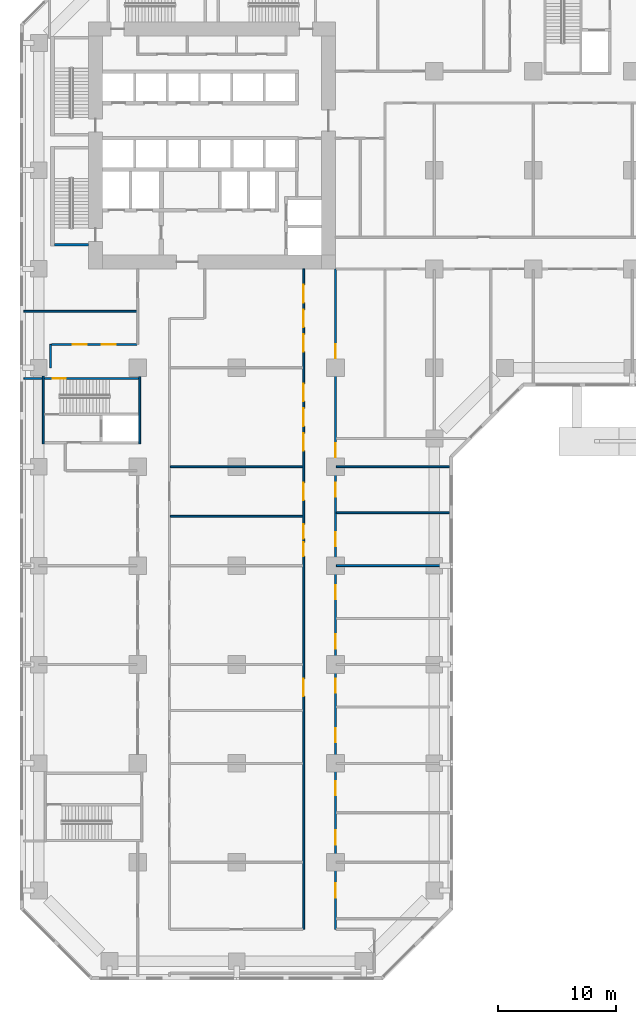
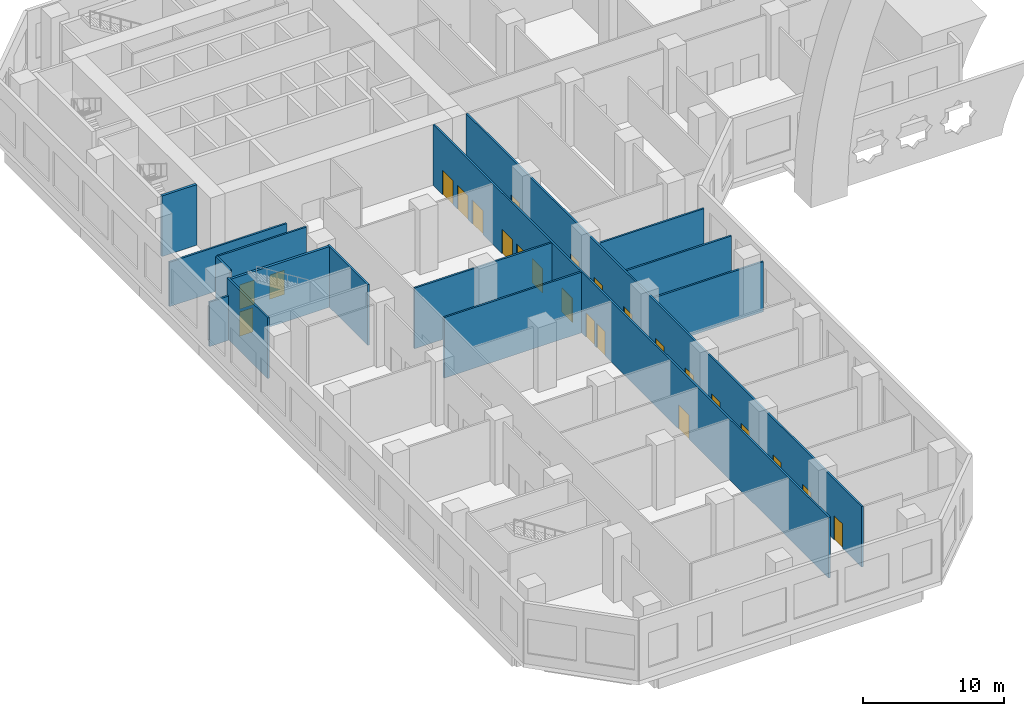
# One storey, part 6 of 19: 24 doors, 15 walls, 24 openings.
"""IFC4 building model written with IfcOpenShell, lengths in metres."""

from ifc_helpers import new_model, si_unit, direction, frame, frame_2d, origin, place, context, subcontext, project, spatial, rectangle, extrude, material, layer, layer_set, type_object, element, fill, save


model = new_model("IFC4")

# Units and contexts
model_context = context("Model", 3, precision=1e-05, world=origin(), true_north=direction((0.0, 1.0)))
body_context = subcontext(model_context, "Body", "Model", "MODEL_VIEW")
ifc_project = project(units=[si_unit("LENGTHUNIT", "METRE"), si_unit("AREAUNIT", "SQUARE_METRE"), si_unit("VOLUMEUNIT", "CUBIC_METRE"), si_unit("PLANEANGLEUNIT", "RADIAN"), si_unit("MASSUNIT", "GRAM", prefix="KILO")], contexts=[model_context])

# Site, building, storey
site_placement = place(None, origin())
site = spatial("IfcSite", under=ifc_project, at=site_placement, CompositionType="ELEMENT")
building_placement = place(site_placement, origin())
building = spatial("IfcBuilding", under=site, at=building_placement, Name="Kawkab Arch Medical Tower", CompositionType="ELEMENT")
storey_placement = place(building_placement, frame((0.0, 0.0, 12.60009765625)))
storey = spatial("IfcBuildingStorey", under=building, at=storey_placement, Name="L03", CompositionType="ELEMENT", Elevation=12.60009765625)

# Walls
ifc_material_1 = material(Name="Gypsum board partition on steel studs, mineral wool", Category="steel")
ifc_layer_1 = layer(ifc_material_1, 0.14990234375)
ifc_layer_set_1 = layer_set([ifc_layer_1], Name="Gypsum board partition on steel studs, mineral wool")
wall_type_1 = type_object("IfcWallType", Name="Partition 150", PredefinedType="PARTITIONING", material=ifc_layer_set_1)
wall_1_placement = place(storey_placement, frame((25.27490234375, -50.39990234375, 0.0), z_axis=(0.0, 0.0, 1.0), x_axis=(1.0, 0.0, 0.0)))
element("IfcWall", 1, at=wall_1_placement, inside=storey, type_object=wall_type_1, Name="Partition 150 w021", PredefinedType="PARTITIONING", context=body_context, shape_type="SweptSolid", body=[
    extrude(rectangle(XDim=9.60498046875, YDim=0.14990234375, at=frame_2d((4.802490234375, 0.0))), origin(), (0.0, 0.0, 1.0), 4.349853515625),
])
wall_2_placement = place(storey_placement, frame((11.175048828125, -46.199951171875, 0.0), z_axis=(0.0, 0.0, 1.0), x_axis=(1.0, 0.0, 0.0)))
element("IfcWall", 2, at=wall_2_placement, inside=storey, type_object=wall_type_1, Name="Partition 150 w022", PredefinedType="PARTITIONING", context=body_context, shape_type="SweptSolid", body=[
    extrude(rectangle(XDim=11.25, YDim=0.14990234375, at=frame_2d((5.625, 0.0))), origin(), (0.0, 0.0, 1.0), 5.25),
])
wall_3_placement = place(storey_placement, frame((25.27490234375, -45.89990234375, 0.0), z_axis=(0.0, 0.0, 1.0), x_axis=(1.0, 0.0, 0.0)))
element("IfcWall", 3, at=wall_3_placement, inside=storey, type_object=wall_type_1, Name="Partition 150 w023", PredefinedType="PARTITIONING", context=body_context, shape_type="SweptSolid", body=[
    extrude(rectangle(XDim=9.60498046875, YDim=0.14990234375, at=frame_2d((4.802490234375, 0.0))), origin(), (0.0, 0.0, 1.0), 3.849853515625),
])
wall_4_placement = place(storey_placement, frame((11.175048828125, -42.0, 0.0), z_axis=(0.0, 0.0, 1.0), x_axis=(1.0, 0.0, 0.0)))
element("IfcWall", 4, at=wall_4_placement, inside=storey, type_object=wall_type_1, Name="Partition 150 w025", PredefinedType="PARTITIONING", context=body_context, shape_type="SweptSolid", body=[
    extrude(rectangle(XDim=11.25, YDim=0.14990234375, at=frame_2d((5.625, 0.0))), origin(), (0.0, 0.0, 1.0), 5.25),
])
wall_5_placement = place(storey_placement, frame((25.27490234375, -42.0, 0.0), z_axis=(0.0, 0.0, 1.0), x_axis=(1.0, 0.0, 0.0)))
element("IfcWall", 5, at=wall_5_placement, inside=storey, type_object=wall_type_1, Name="Partition 150 w026", PredefinedType="PARTITIONING", context=body_context, shape_type="SweptSolid", body=[
    extrude(rectangle(XDim=9.60498046875, YDim=0.14990234375, at=frame_2d((4.802490234375, 0.0))), origin(), (0.0, 0.0, 1.0), 3.849853515625),
])
wall_6_placement = place(storey_placement, frame((-1.280029296875, -34.5, 0.0), z_axis=(0.0, 0.0, 1.0), x_axis=(1.0, 0.0, 0.0)))
element("IfcWall", 6, at=wall_6_placement, inside=storey, type_object=wall_type_1, Name="Partition 150 w028", PredefinedType="PARTITIONING", context=body_context, shape_type="SweptSolid", body=[
    extrude(rectangle(XDim=1.550048828125, YDim=0.14990234375, at=frame_2d((0.77490234375, 0.0))), origin(), (0.0, 0.0, 1.0), 3.849853515625),
])

# Wall, openings, doors
wall_7_placement = place(storey_placement, frame((1.075927734375, -31.60693359375, 0.0), z_axis=(0.0, 0.0, 1.0), x_axis=(1.0, 0.0, 0.0)))
wall_7 = element("IfcWall", 7, at=wall_7_placement, inside=storey, type_object=wall_type_1, Name="Partition 150 w030", PredefinedType="PARTITIONING", context=body_context, shape_type="SweptSolid", body=[
    extrude(rectangle(XDim=7.2490234375, YDim=0.14990234375, at=frame_2d((3.62451171875, 0.0))), origin(), (0.0, 0.0, 1.0), 5.25),
])
opening_1_placement = place(wall_7_placement, frame((1.791015625, 0.0, 0.0)))
opening_1 = element("IfcOpeningElement", 8, at=opening_1_placement, cuts=wall_7, Name="Opening P03-070", PredefinedType="OPENING", context=body_context, shape_type="SweptSolid", body=[
    extrude(rectangle(XDim=1.199951171875, YDim=2.10009765625, at=frame_2d((0.60009765625, 1.050048828125))), frame((0.0, 0.0849609375, 0.0), z_axis=(0.0, -1.0, 0.0), x_axis=(1.0, 0.0, 0.0)), (0.0, 0.0, 1.0), 0.169921875),
])
opening_2_placement = place(wall_7_placement, frame((4.258056640625, 0.0, 0.0)))
opening_2 = element("IfcOpeningElement", 9, at=opening_2_placement, cuts=wall_7, Name="Opening P03-071", PredefinedType="OPENING", context=body_context, shape_type="SweptSolid", body=[
    extrude(rectangle(XDim=1.199951171875, YDim=2.10009765625, at=frame_2d((0.60009765625, 1.050048828125))), frame((0.0, 0.0849609375, 0.0), z_axis=(0.0, -1.0, 0.0), x_axis=(1.0, 0.0, 0.0)), (0.0, 0.0, 1.0), 0.169921875),
])
ifc_material_2 = material(Name="Hollow metal door leaf")
door_type_1 = type_object("IfcDoorType", Name="Single door 1200x2100 FD30S", OperationType="NOTDEFINED", PredefinedType="DOOR", material=ifc_material_2)
door_1_placement = place(opening_1_placement, origin())
door_1 = element("IfcDoor", 10, at=door_1_placement, inside=storey, type_object=door_type_1, Name="Door P03-070", OperationType="SINGLE_SWING_LEFT", OverallHeight=2.10009765625, OverallWidth=1.199951171875, PredefinedType="DOOR", context=body_context, shape_type="SweptSolid", body=[
    extrude(rectangle(XDim=1.199951171875, YDim=2.10009765625, at=frame_2d((0.60009765625, 1.050048828125))), frame((0.0, 0.02490234375, 0.0), z_axis=(0.0, -1.0, 0.0), x_axis=(1.0, 0.0, 0.0)), (0.0, 0.0, 1.0), 0.050048828125),
])
fill(opening_1, door_1)
door_2_placement = place(opening_2_placement, origin())
door_2 = element("IfcDoor", 11, at=door_2_placement, inside=storey, type_object=door_type_1, Name="Door P03-071", OperationType="SINGLE_SWING_RIGHT", OverallHeight=2.10009765625, OverallWidth=1.199951171875, PredefinedType="DOOR", context=body_context, shape_type="SweptSolid", body=[
    extrude(rectangle(XDim=1.199951171875, YDim=2.10009765625, at=frame_2d((0.60009765625, 1.050048828125))), frame((0.0, 0.02490234375, 0.0), z_axis=(0.0, -1.0, 0.0), x_axis=(1.0, 0.0, 0.0)), (0.0, 0.0, 1.0), 0.050048828125),
])
fill(opening_2, door_2)

# Walls
wall_8_placement = place(storey_placement, frame((-1.280029296875, -28.800048828125, 0.0), z_axis=(0.0, 0.0, 1.0), x_axis=(1.0, 0.0, 0.0)))
element("IfcWall", 12, at=wall_8_placement, inside=storey, type_object=wall_type_1, Name="Partition 150 w032", PredefinedType="PARTITIONING", context=body_context, shape_type="SweptSolid", body=[
    extrude(rectangle(XDim=9.60498046875, YDim=0.14990234375, at=frame_2d((4.802490234375, 0.0))), origin(), (0.0, 0.0, 1.0), 3.849853515625),
])
wall_9_placement = place(storey_placement, frame((1.0, -33.60009765625, 0.0), z_axis=(0.0, 0.0, 1.0), x_axis=(0.0, 1.0, 0.0)))
element("IfcWall", 13, at=wall_9_placement, inside=storey, type_object=wall_type_1, Name="Partition 150 w047", PredefinedType="PARTITIONING", context=body_context, shape_type="SweptSolid", body=[
    extrude(rectangle(XDim=1.9912109375, YDim=0.14990234375, at=frame_2d((0.99560546875, 0.0))), origin(), (0.0, 0.0, 1.0), 5.25),
])

# Wall, openings, doors
wall_10_placement = place(storey_placement, frame((22.5, -81.300048828125, 0.0), z_axis=(0.0, 0.0, 1.0), x_axis=(0.0, 1.0, 0.0)))
wall_10 = element("IfcWall", 14, at=wall_10_placement, inside=storey, type_object=wall_type_1, Name="Partition 150 w055", PredefinedType="PARTITIONING", context=body_context, shape_type="SweptSolid", body=[
    extrude(rectangle(XDim=56.10009765625, YDim=0.14990234375, at=frame_2d((28.050048828125, 0.0))), origin(), (0.0, 0.0, 1.0), 5.25),
])
opening_3_placement = place(wall_10_placement, frame((49.050048828125, 0.0, 0.0)))
opening_3 = element("IfcOpeningElement", 15, at=opening_3_placement, cuts=wall_10, Name="Opening P03-032", PredefinedType="OPENING", context=body_context, shape_type="SweptSolid", body=[
    extrude(rectangle(XDim=1.5, YDim=2.10009765625, at=frame_2d((0.75, 1.050048828125))), frame((0.0, 0.0849609375, 0.0), z_axis=(0.0, -1.0, 0.0), x_axis=(1.0, 0.0, 0.0)), (0.0, 0.0, 1.0), 0.169921875),
])
opening_4_placement = place(wall_10_placement, frame((51.14990234375, 0.0, 0.0)))
opening_4 = element("IfcOpeningElement", 16, at=opening_4_placement, cuts=wall_10, Name="Opening P03-033", PredefinedType="OPENING", context=body_context, shape_type="SweptSolid", body=[
    extrude(rectangle(XDim=1.5, YDim=2.10009765625, at=frame_2d((0.75, 1.050048828125))), frame((0.0, 0.0849609375, 0.0), z_axis=(0.0, -1.0, 0.0), x_axis=(1.0, 0.0, 0.0)), (0.0, 0.0, 1.0), 0.169921875),
])
opening_5_placement = place(wall_10_placement, frame((53.25, 0.0, 0.0)))
opening_5 = element("IfcOpeningElement", 17, at=opening_5_placement, cuts=wall_10, Name="Opening P03-034", PredefinedType="OPENING", context=body_context, shape_type="SweptSolid", body=[
    extrude(rectangle(XDim=1.5, YDim=2.10009765625, at=frame_2d((0.75, 1.050048828125))), frame((0.0, 0.0849609375, 0.0), z_axis=(0.0, -1.0, 0.0), x_axis=(1.0, 0.0, 0.0)), (0.0, 0.0, 1.0), 0.169921875),
])
opening_6_placement = place(wall_10_placement, frame((40.64990234375, 0.0, 0.0)))
opening_6 = element("IfcOpeningElement", 18, at=opening_6_placement, cuts=wall_10, Name="Opening P03-035", PredefinedType="OPENING", context=body_context, shape_type="SweptSolid", body=[
    extrude(rectangle(XDim=1.5, YDim=2.10009765625, at=frame_2d((0.75, 1.050048828125))), frame((0.0, 0.0849609375, 0.0), z_axis=(0.0, -1.0, 0.0), x_axis=(1.0, 0.0, 0.0)), (0.0, 0.0, 1.0), 0.169921875),
])
opening_7_placement = place(wall_10_placement, frame((42.75, 0.0, 0.0)))
opening_7 = element("IfcOpeningElement", 19, at=opening_7_placement, cuts=wall_10, Name="Opening P03-036", PredefinedType="OPENING", context=body_context, shape_type="SweptSolid", body=[
    extrude(rectangle(XDim=1.5, YDim=2.10009765625, at=frame_2d((0.75, 1.050048828125))), frame((0.0, 0.0849609375, 0.0), z_axis=(0.0, -1.0, 0.0), x_axis=(1.0, 0.0, 0.0)), (0.0, 0.0, 1.0), 0.169921875),
])
opening_8_placement = place(wall_10_placement, frame((44.85009765625, 0.0, 0.0)))
opening_8 = element("IfcOpeningElement", 20, at=opening_8_placement, cuts=wall_10, Name="Opening P03-037", PredefinedType="OPENING", context=body_context, shape_type="SweptSolid", body=[
    extrude(rectangle(XDim=1.5, YDim=2.10009765625, at=frame_2d((0.75, 1.050048828125))), frame((0.0, 0.0849609375, 0.0), z_axis=(0.0, -1.0, 0.0), x_axis=(1.0, 0.0, 0.0)), (0.0, 0.0, 1.0), 0.169921875),
])
opening_9_placement = place(wall_10_placement, frame((36.449951171875, 0.0, 0.0)))
opening_9 = element("IfcOpeningElement", 21, at=opening_9_placement, cuts=wall_10, Name="Opening P03-039", PredefinedType="OPENING", context=body_context, shape_type="SweptSolid", body=[
    extrude(rectangle(XDim=1.5, YDim=2.10009765625, at=frame_2d((0.75, 1.050048828125))), frame((0.0, 0.0849609375, 0.0), z_axis=(0.0, -1.0, 0.0), x_axis=(1.0, 0.0, 0.0)), (0.0, 0.0, 1.0), 0.169921875),
])
opening_10_placement = place(wall_10_placement, frame((31.699951171875, 0.0, 0.0)))
opening_10 = element("IfcOpeningElement", 22, at=opening_10_placement, cuts=wall_10, Name="Opening P03-072", PredefinedType="OPENING", context=body_context, shape_type="SweptSolid", body=[
    extrude(rectangle(XDim=1.199951171875, YDim=2.10009765625, at=frame_2d((0.60009765625, 1.050048828125))), frame((0.0, 0.0849609375, 0.0), z_axis=(0.0, -1.0, 0.0), x_axis=(1.0, 0.0, 0.0)), (0.0, 0.0, 1.0), 0.169921875),
])
opening_11_placement = place(wall_10_placement, frame((33.199951171875, 0.0, 0.0)))
opening_11 = element("IfcOpeningElement", 23, at=opening_11_placement, cuts=wall_10, Name="Opening P03-073", PredefinedType="OPENING", context=body_context, shape_type="SweptSolid", body=[
    extrude(rectangle(XDim=1.199951171875, YDim=2.10009765625, at=frame_2d((0.60009765625, 1.050048828125))), frame((0.0, 0.0849609375, 0.0), z_axis=(0.0, -1.0, 0.0), x_axis=(1.0, 0.0, 0.0)), (0.0, 0.0, 1.0), 0.169921875),
])
opening_12_placement = place(wall_10_placement, frame((19.800048828125, 0.0, 0.0)))
opening_12 = element("IfcOpeningElement", 24, at=opening_12_placement, cuts=wall_10, Name="Opening P03-044", PredefinedType="OPENING", context=body_context, shape_type="SweptSolid", body=[
    extrude(rectangle(XDim=1.5, YDim=2.10009765625, at=frame_2d((0.75, 1.050048828125))), frame((0.0, 0.0849609375, 0.0), z_axis=(0.0, -1.0, 0.0), x_axis=(1.0, 0.0, 0.0)), (0.0, 0.0, 1.0), 0.169921875),
])
ifc_material_3 = material(Name="Hollow metal door leaf")
door_type_2 = type_object("IfcDoorType", Name="Double door 1500x2100 FD30S", OperationType="NOTDEFINED", PredefinedType="DOOR", material=ifc_material_3)
door_3_placement = place(opening_3_placement, origin())
door_3 = element("IfcDoor", 25, at=door_3_placement, inside=storey, type_object=door_type_2, Name="Door P03-032", OperationType="DOUBLE_DOOR_SINGLE_SWING", OverallHeight=2.10009765625, OverallWidth=1.5, PredefinedType="DOOR", context=body_context, shape_type="SweptSolid", body=[
    extrude(rectangle(XDim=1.5, YDim=2.10009765625, at=frame_2d((0.75, 1.050048828125))), frame((0.0, 0.02490234375, 0.0), z_axis=(0.0, -1.0, 0.0), x_axis=(1.0, 0.0, 0.0)), (0.0, 0.0, 1.0), 0.050048828125),
])
fill(opening_3, door_3)
door_4_placement = place(opening_4_placement, origin())
door_4 = element("IfcDoor", 26, at=door_4_placement, inside=storey, type_object=door_type_2, Name="Door P03-033", OperationType="DOUBLE_DOOR_SINGLE_SWING", OverallHeight=2.10009765625, OverallWidth=1.5, PredefinedType="DOOR", context=body_context, shape_type="SweptSolid", body=[
    extrude(rectangle(XDim=1.5, YDim=2.10009765625, at=frame_2d((0.75, 1.050048828125))), frame((0.0, 0.02490234375, 0.0), z_axis=(0.0, -1.0, 0.0), x_axis=(1.0, 0.0, 0.0)), (0.0, 0.0, 1.0), 0.050048828125),
])
fill(opening_4, door_4)
door_5_placement = place(opening_5_placement, origin())
door_5 = element("IfcDoor", 27, at=door_5_placement, inside=storey, type_object=door_type_2, Name="Door P03-034", OperationType="DOUBLE_DOOR_SINGLE_SWING", OverallHeight=2.10009765625, OverallWidth=1.5, PredefinedType="DOOR", context=body_context, shape_type="SweptSolid", body=[
    extrude(rectangle(XDim=1.5, YDim=2.10009765625, at=frame_2d((0.75, 1.050048828125))), frame((0.0, 0.02490234375, 0.0), z_axis=(0.0, -1.0, 0.0), x_axis=(1.0, 0.0, 0.0)), (0.0, 0.0, 1.0), 0.050048828125),
])
fill(opening_5, door_5)
door_6_placement = place(opening_6_placement, origin())
door_6 = element("IfcDoor", 28, at=door_6_placement, inside=storey, type_object=door_type_2, Name="Door P03-035", OperationType="DOUBLE_DOOR_SINGLE_SWING", OverallHeight=2.10009765625, OverallWidth=1.5, PredefinedType="DOOR", context=body_context, shape_type="SweptSolid", body=[
    extrude(rectangle(XDim=1.5, YDim=2.10009765625, at=frame_2d((0.75, 1.050048828125))), frame((0.0, 0.02490234375, 0.0), z_axis=(0.0, -1.0, 0.0), x_axis=(1.0, 0.0, 0.0)), (0.0, 0.0, 1.0), 0.050048828125),
])
fill(opening_6, door_6)
door_7_placement = place(opening_7_placement, origin())
door_7 = element("IfcDoor", 29, at=door_7_placement, inside=storey, type_object=door_type_2, Name="Door P03-036", OperationType="DOUBLE_DOOR_SINGLE_SWING", OverallHeight=2.10009765625, OverallWidth=1.5, PredefinedType="DOOR", context=body_context, shape_type="SweptSolid", body=[
    extrude(rectangle(XDim=1.5, YDim=2.10009765625, at=frame_2d((0.75, 1.050048828125))), frame((0.0, 0.02490234375, 0.0), z_axis=(0.0, -1.0, 0.0), x_axis=(1.0, 0.0, 0.0)), (0.0, 0.0, 1.0), 0.050048828125),
])
fill(opening_7, door_7)
door_8_placement = place(opening_8_placement, origin())
door_8 = element("IfcDoor", 30, at=door_8_placement, inside=storey, type_object=door_type_2, Name="Door P03-037", OperationType="DOUBLE_DOOR_SINGLE_SWING", OverallHeight=2.10009765625, OverallWidth=1.5, PredefinedType="DOOR", context=body_context, shape_type="SweptSolid", body=[
    extrude(rectangle(XDim=1.5, YDim=2.10009765625, at=frame_2d((0.75, 1.050048828125))), frame((0.0, 0.02490234375, 0.0), z_axis=(0.0, -1.0, 0.0), x_axis=(1.0, 0.0, 0.0)), (0.0, 0.0, 1.0), 0.050048828125),
])
fill(opening_8, door_8)
door_9_placement = place(opening_9_placement, origin())
door_9 = element("IfcDoor", 31, at=door_9_placement, inside=storey, type_object=door_type_2, Name="Door P03-039", OperationType="DOUBLE_DOOR_SINGLE_SWING", OverallHeight=2.10009765625, OverallWidth=1.5, PredefinedType="DOOR", context=body_context, shape_type="SweptSolid", body=[
    extrude(rectangle(XDim=1.5, YDim=2.10009765625, at=frame_2d((0.75, 1.050048828125))), frame((0.0, 0.02490234375, 0.0), z_axis=(0.0, -1.0, 0.0), x_axis=(1.0, 0.0, 0.0)), (0.0, 0.0, 1.0), 0.050048828125),
])
fill(opening_9, door_9)
door_10_placement = place(opening_12_placement, origin())
door_10 = element("IfcDoor", 32, at=door_10_placement, inside=storey, type_object=door_type_2, Name="Door P03-044", OperationType="DOUBLE_DOOR_SINGLE_SWING", OverallHeight=2.10009765625, OverallWidth=1.5, PredefinedType="DOOR", context=body_context, shape_type="SweptSolid", body=[
    extrude(rectangle(XDim=1.5, YDim=2.10009765625, at=frame_2d((0.75, 1.050048828125))), frame((0.0, 0.02490234375, 0.0), z_axis=(0.0, -1.0, 0.0), x_axis=(1.0, 0.0, 0.0)), (0.0, 0.0, 1.0), 0.050048828125),
])
fill(opening_12, door_10)
door_11_placement = place(opening_10_placement, origin())
door_11 = element("IfcDoor", 33, at=door_11_placement, inside=storey, type_object=door_type_1, Name="Door P03-072", OperationType="SINGLE_SWING_RIGHT", OverallHeight=2.10009765625, OverallWidth=1.199951171875, PredefinedType="DOOR", context=body_context, shape_type="SweptSolid", body=[
    extrude(rectangle(XDim=1.199951171875, YDim=2.10009765625, at=frame_2d((0.60009765625, 1.050048828125))), frame((0.0, 0.02490234375, 0.0), z_axis=(0.0, -1.0, 0.0), x_axis=(1.0, 0.0, 0.0)), (0.0, 0.0, 1.0), 0.050048828125),
])
fill(opening_10, door_11)
door_12_placement = place(opening_11_placement, origin())
door_12 = element("IfcDoor", 34, at=door_12_placement, inside=storey, type_object=door_type_1, Name="Door P03-073", OperationType="SINGLE_SWING_RIGHT", OverallHeight=2.10009765625, OverallWidth=1.199951171875, PredefinedType="DOOR", context=body_context, shape_type="SweptSolid", body=[
    extrude(rectangle(XDim=1.199951171875, YDim=2.10009765625, at=frame_2d((0.60009765625, 1.050048828125))), frame((0.0, 0.02490234375, 0.0), z_axis=(0.0, -1.0, 0.0), x_axis=(1.0, 0.0, 0.0)), (0.0, 0.0, 1.0), 0.050048828125),
])
fill(opening_11, door_12)

wall_11_placement = place(storey_placement, frame((25.199951171875, -81.300048828125, 0.0), z_axis=(0.0, 0.0, 1.0), x_axis=(0.0, 1.0, 0.0)))
wall_11 = element("IfcWall", 35, at=wall_11_placement, inside=storey, type_object=wall_type_1, Name="Partition 150 w056", PredefinedType="PARTITIONING", context=body_context, shape_type="SweptSolid", body=[
    extrude(rectangle(XDim=56.10009765625, YDim=0.14990234375, at=frame_2d((28.050048828125, 0.0))), origin(), (0.0, 0.0, 1.0), 5.25),
])
opening_13_placement = place(wall_11_placement, frame((48.5, 0.0, 0.0)))
opening_13 = element("IfcOpeningElement", 36, at=opening_13_placement, cuts=wall_11, Name="Opening P03-059", PredefinedType="OPENING", context=body_context, shape_type="SweptSolid", body=[
    extrude(rectangle(XDim=1.199951171875, YDim=2.10009765625, at=frame_2d((0.60009765625, 1.050048828125))), frame((0.0, 0.0849609375, 0.0), z_axis=(0.0, -1.0, 0.0), x_axis=(1.0, 0.0, 0.0)), (0.0, 0.0, 1.0), 0.169921875),
])
opening_14_placement = place(wall_11_placement, frame((40.10009765625, 0.0, 0.0)))
opening_14 = element("IfcOpeningElement", 37, at=opening_14_placement, cuts=wall_11, Name="Opening P03-076", PredefinedType="OPENING", context=body_context, shape_type="SweptSolid", body=[
    extrude(rectangle(XDim=1.199951171875, YDim=2.10009765625, at=frame_2d((0.60009765625, 1.050048828125))), frame((0.0, 0.0849609375, 0.0), z_axis=(0.0, -1.0, 0.0), x_axis=(1.0, 0.0, 0.0)), (0.0, 0.0, 1.0), 0.169921875),
])
opening_15_placement = place(wall_11_placement, frame((36.75, 0.0, 0.0)))
opening_15 = element("IfcOpeningElement", 38, at=opening_15_placement, cuts=wall_11, Name="Opening P03-077", PredefinedType="OPENING", context=body_context, shape_type="SweptSolid", body=[
    extrude(rectangle(XDim=1.199951171875, YDim=2.10009765625, at=frame_2d((0.60009765625, 1.050048828125))), frame((0.0, 0.0849609375, 0.0), z_axis=(0.0, -1.0, 0.0), x_axis=(1.0, 0.0, 0.0)), (0.0, 0.0, 1.0), 0.169921875),
])
opening_16_placement = place(wall_11_placement, frame((32.550048828125, 0.0, 0.0)))
opening_16 = element("IfcOpeningElement", 39, at=opening_16_placement, cuts=wall_11, Name="Opening P03-078", PredefinedType="OPENING", context=body_context, shape_type="SweptSolid", body=[
    extrude(rectangle(XDim=1.199951171875, YDim=2.10009765625, at=frame_2d((0.60009765625, 1.050048828125))), frame((0.0, 0.0849609375, 0.0), z_axis=(0.0, -1.0, 0.0), x_axis=(1.0, 0.0, 0.0)), (0.0, 0.0, 1.0), 0.169921875),
])
opening_17_placement = place(wall_11_placement, frame((28.050048828125, 0.0, 0.0)))
opening_17 = element("IfcOpeningElement", 40, at=opening_17_placement, cuts=wall_11, Name="Opening P03-079", PredefinedType="OPENING", context=body_context, shape_type="SweptSolid", body=[
    extrude(rectangle(XDim=1.199951171875, YDim=2.10009765625, at=frame_2d((0.60009765625, 1.050048828125))), frame((0.0, 0.0849609375, 0.0), z_axis=(0.0, -1.0, 0.0), x_axis=(1.0, 0.0, 0.0)), (0.0, 0.0, 1.0), 0.169921875),
])
opening_18_placement = place(wall_11_placement, frame((23.85009765625, 0.0, 0.0)))
opening_18 = element("IfcOpeningElement", 41, at=opening_18_placement, cuts=wall_11, Name="Opening P03-080", PredefinedType="OPENING", context=body_context, shape_type="SweptSolid", body=[
    extrude(rectangle(XDim=1.199951171875, YDim=2.10009765625, at=frame_2d((0.60009765625, 1.050048828125))), frame((0.0, 0.0849609375, 0.0), z_axis=(0.0, -1.0, 0.0), x_axis=(1.0, 0.0, 0.0)), (0.0, 0.0, 1.0), 0.169921875),
])
opening_19_placement = place(wall_11_placement, frame((20.10009765625, 0.0, 0.0)))
opening_19 = element("IfcOpeningElement", 42, at=opening_19_placement, cuts=wall_11, Name="Opening P03-081", PredefinedType="OPENING", context=body_context, shape_type="SweptSolid", body=[
    extrude(rectangle(XDim=1.199951171875, YDim=2.10009765625, at=frame_2d((0.60009765625, 1.050048828125))), frame((0.0, 0.0849609375, 0.0), z_axis=(0.0, -1.0, 0.0), x_axis=(1.0, 0.0, 0.0)), (0.0, 0.0, 1.0), 0.169921875),
])
opening_20_placement = place(wall_11_placement, frame((15.89990234375, 0.0, 0.0)))
opening_20 = element("IfcOpeningElement", 43, at=opening_20_placement, cuts=wall_11, Name="Opening P03-082", PredefinedType="OPENING", context=body_context, shape_type="SweptSolid", body=[
    extrude(rectangle(XDim=1.199951171875, YDim=2.10009765625, at=frame_2d((0.60009765625, 1.050048828125))), frame((0.0, 0.0849609375, 0.0), z_axis=(0.0, -1.0, 0.0), x_axis=(1.0, 0.0, 0.0)), (0.0, 0.0, 1.0), 0.169921875),
])
opening_21_placement = place(wall_11_placement, frame((11.39990234375, 0.0, 0.0)))
opening_21 = element("IfcOpeningElement", 44, at=opening_21_placement, cuts=wall_11, Name="Opening P03-083", PredefinedType="OPENING", context=body_context, shape_type="SweptSolid", body=[
    extrude(rectangle(XDim=1.199951171875, YDim=2.10009765625, at=frame_2d((0.60009765625, 1.050048828125))), frame((0.0, 0.0849609375, 0.0), z_axis=(0.0, -1.0, 0.0), x_axis=(1.0, 0.0, 0.0)), (0.0, 0.0, 1.0), 0.169921875),
])
opening_22_placement = place(wall_11_placement, frame((7.199951171875, 0.0, 0.0)))
opening_22 = element("IfcOpeningElement", 45, at=opening_22_placement, cuts=wall_11, Name="Opening P03-084", PredefinedType="OPENING", context=body_context, shape_type="SweptSolid", body=[
    extrude(rectangle(XDim=1.199951171875, YDim=2.10009765625, at=frame_2d((0.60009765625, 1.050048828125))), frame((0.0, 0.0849609375, 0.0), z_axis=(0.0, -1.0, 0.0), x_axis=(1.0, 0.0, 0.0)), (0.0, 0.0, 1.0), 0.169921875),
])
opening_23_placement = place(wall_11_placement, frame((2.699951171875, 0.0, 0.0)))
opening_23 = element("IfcOpeningElement", 46, at=opening_23_placement, cuts=wall_11, Name="Opening P03-085", PredefinedType="OPENING", context=body_context, shape_type="SweptSolid", body=[
    extrude(rectangle(XDim=1.199951171875, YDim=2.10009765625, at=frame_2d((0.60009765625, 1.050048828125))), frame((0.0, 0.0849609375, 0.0), z_axis=(0.0, -1.0, 0.0), x_axis=(1.0, 0.0, 0.0)), (0.0, 0.0, 1.0), 0.169921875),
])
door_13_placement = place(opening_13_placement, origin())
door_13 = element("IfcDoor", 47, at=door_13_placement, inside=storey, type_object=door_type_1, Name="Door P03-059", OperationType="SINGLE_SWING_LEFT", OverallHeight=2.10009765625, OverallWidth=1.199951171875, PredefinedType="DOOR", context=body_context, shape_type="SweptSolid", body=[
    extrude(rectangle(XDim=1.199951171875, YDim=2.10009765625, at=frame_2d((0.60009765625, 1.050048828125))), frame((0.0, 0.02490234375, 0.0), z_axis=(0.0, -1.0, 0.0), x_axis=(1.0, 0.0, 0.0)), (0.0, 0.0, 1.0), 0.050048828125),
])
fill(opening_13, door_13)
door_14_placement = place(opening_14_placement, origin())
door_14 = element("IfcDoor", 48, at=door_14_placement, inside=storey, type_object=door_type_1, Name="Door P03-076", OperationType="SINGLE_SWING_LEFT", OverallHeight=2.10009765625, OverallWidth=1.199951171875, PredefinedType="DOOR", context=body_context, shape_type="SweptSolid", body=[
    extrude(rectangle(XDim=1.199951171875, YDim=2.10009765625, at=frame_2d((0.60009765625, 1.050048828125))), frame((0.0, 0.02490234375, 0.0), z_axis=(0.0, -1.0, 0.0), x_axis=(1.0, 0.0, 0.0)), (0.0, 0.0, 1.0), 0.050048828125),
])
fill(opening_14, door_14)
door_15_placement = place(opening_15_placement, origin())
door_15 = element("IfcDoor", 49, at=door_15_placement, inside=storey, type_object=door_type_1, Name="Door P03-077", OperationType="SINGLE_SWING_LEFT", OverallHeight=2.10009765625, OverallWidth=1.199951171875, PredefinedType="DOOR", context=body_context, shape_type="SweptSolid", body=[
    extrude(rectangle(XDim=1.199951171875, YDim=2.10009765625, at=frame_2d((0.60009765625, 1.050048828125))), frame((0.0, 0.02490234375, 0.0), z_axis=(0.0, -1.0, 0.0), x_axis=(1.0, 0.0, 0.0)), (0.0, 0.0, 1.0), 0.050048828125),
])
fill(opening_15, door_15)
door_16_placement = place(opening_16_placement, origin())
door_16 = element("IfcDoor", 50, at=door_16_placement, inside=storey, type_object=door_type_1, Name="Door P03-078", OperationType="SINGLE_SWING_LEFT", OverallHeight=2.10009765625, OverallWidth=1.199951171875, PredefinedType="DOOR", context=body_context, shape_type="SweptSolid", body=[
    extrude(rectangle(XDim=1.199951171875, YDim=2.10009765625, at=frame_2d((0.60009765625, 1.050048828125))), frame((0.0, 0.02490234375, 0.0), z_axis=(0.0, -1.0, 0.0), x_axis=(1.0, 0.0, 0.0)), (0.0, 0.0, 1.0), 0.050048828125),
])
fill(opening_16, door_16)
door_17_placement = place(opening_17_placement, origin())
door_17 = element("IfcDoor", 51, at=door_17_placement, inside=storey, type_object=door_type_1, Name="Door P03-079", OperationType="SINGLE_SWING_LEFT", OverallHeight=2.10009765625, OverallWidth=1.199951171875, PredefinedType="DOOR", context=body_context, shape_type="SweptSolid", body=[
    extrude(rectangle(XDim=1.199951171875, YDim=2.10009765625, at=frame_2d((0.60009765625, 1.050048828125))), frame((0.0, 0.02490234375, 0.0), z_axis=(0.0, -1.0, 0.0), x_axis=(1.0, 0.0, 0.0)), (0.0, 0.0, 1.0), 0.050048828125),
])
fill(opening_17, door_17)
door_18_placement = place(opening_18_placement, origin())
door_18 = element("IfcDoor", 52, at=door_18_placement, inside=storey, type_object=door_type_1, Name="Door P03-080", OperationType="SINGLE_SWING_RIGHT", OverallHeight=2.10009765625, OverallWidth=1.199951171875, PredefinedType="DOOR", context=body_context, shape_type="SweptSolid", body=[
    extrude(rectangle(XDim=1.199951171875, YDim=2.10009765625, at=frame_2d((0.60009765625, 1.050048828125))), frame((0.0, 0.02490234375, 0.0), z_axis=(0.0, -1.0, 0.0), x_axis=(1.0, 0.0, 0.0)), (0.0, 0.0, 1.0), 0.050048828125),
])
fill(opening_18, door_18)
door_19_placement = place(opening_19_placement, origin())
door_19 = element("IfcDoor", 53, at=door_19_placement, inside=storey, type_object=door_type_1, Name="Door P03-081", OperationType="SINGLE_SWING_RIGHT", OverallHeight=2.10009765625, OverallWidth=1.199951171875, PredefinedType="DOOR", context=body_context, shape_type="SweptSolid", body=[
    extrude(rectangle(XDim=1.199951171875, YDim=2.10009765625, at=frame_2d((0.60009765625, 1.050048828125))), frame((0.0, 0.02490234375, 0.0), z_axis=(0.0, -1.0, 0.0), x_axis=(1.0, 0.0, 0.0)), (0.0, 0.0, 1.0), 0.050048828125),
])
fill(opening_19, door_19)
door_20_placement = place(opening_20_placement, origin())
door_20 = element("IfcDoor", 54, at=door_20_placement, inside=storey, type_object=door_type_1, Name="Door P03-082", OperationType="SINGLE_SWING_RIGHT", OverallHeight=2.10009765625, OverallWidth=1.199951171875, PredefinedType="DOOR", context=body_context, shape_type="SweptSolid", body=[
    extrude(rectangle(XDim=1.199951171875, YDim=2.10009765625, at=frame_2d((0.60009765625, 1.050048828125))), frame((0.0, 0.02490234375, 0.0), z_axis=(0.0, -1.0, 0.0), x_axis=(1.0, 0.0, 0.0)), (0.0, 0.0, 1.0), 0.050048828125),
])
fill(opening_20, door_20)
door_21_placement = place(opening_21_placement, origin())
door_21 = element("IfcDoor", 55, at=door_21_placement, inside=storey, type_object=door_type_1, Name="Door P03-083", OperationType="SINGLE_SWING_RIGHT", OverallHeight=2.10009765625, OverallWidth=1.199951171875, PredefinedType="DOOR", context=body_context, shape_type="SweptSolid", body=[
    extrude(rectangle(XDim=1.199951171875, YDim=2.10009765625, at=frame_2d((0.60009765625, 1.050048828125))), frame((0.0, 0.02490234375, 0.0), z_axis=(0.0, -1.0, 0.0), x_axis=(1.0, 0.0, 0.0)), (0.0, 0.0, 1.0), 0.050048828125),
])
fill(opening_21, door_21)
door_22_placement = place(opening_22_placement, origin())
door_22 = element("IfcDoor", 56, at=door_22_placement, inside=storey, type_object=door_type_1, Name="Door P03-084", OperationType="SINGLE_SWING_RIGHT", OverallHeight=2.10009765625, OverallWidth=1.199951171875, PredefinedType="DOOR", context=body_context, shape_type="SweptSolid", body=[
    extrude(rectangle(XDim=1.199951171875, YDim=2.10009765625, at=frame_2d((0.60009765625, 1.050048828125))), frame((0.0, 0.02490234375, 0.0), z_axis=(0.0, -1.0, 0.0), x_axis=(1.0, 0.0, 0.0)), (0.0, 0.0, 1.0), 0.050048828125),
])
fill(opening_22, door_22)
door_23_placement = place(opening_23_placement, origin())
door_23 = element("IfcDoor", 57, at=door_23_placement, inside=storey, type_object=door_type_1, Name="Door P03-085", OperationType="SINGLE_SWING_RIGHT", OverallHeight=2.10009765625, OverallWidth=1.199951171875, PredefinedType="DOOR", context=body_context, shape_type="SweptSolid", body=[
    extrude(rectangle(XDim=1.199951171875, YDim=2.10009765625, at=frame_2d((0.60009765625, 1.050048828125))), frame((0.0, 0.02490234375, 0.0), z_axis=(0.0, -1.0, 0.0), x_axis=(1.0, 0.0, 0.0)), (0.0, 0.0, 1.0), 0.050048828125),
])
fill(opening_23, door_23)

# Walls
ifc_material_4 = material(Name="Concrete C50/60", Category="concrete")
ifc_layer_2 = layer(ifc_material_4, 0.14990234375)
ifc_layer_set_2 = layer_set([ifc_layer_2], Name="Concrete C50/60")
wall_type_2 = type_object("IfcWallType", Name="Stair enclosure wall 150 C50/60", PredefinedType="SHEAR", material=ifc_layer_set_2)
wall_12_placement = place(storey_placement, frame((0.375, -40.050048828125, 0.0), z_axis=(0.0, 0.0, 1.0), x_axis=(0.0, 1.0, 0.0)))
element("IfcWall", 58, at=wall_12_placement, inside=storey, type_object=wall_type_2, Name="L03 stair enclosure wall", PredefinedType="SHEAR", context=body_context, shape_type="SweptSolid", body=[
    extrude(rectangle(XDim=5.75, YDim=0.14990234375, at=frame_2d((2.875, 0.0))), origin(), (0.0, 0.0, 1.0), 5.25),
])
wall_13_placement = place(storey_placement, frame((8.574951171875, -40.050048828125, 0.0), z_axis=(0.0, 0.0, 1.0), x_axis=(0.0, 1.0, 0.0)))
element("IfcWall", 59, at=wall_13_placement, inside=storey, type_object=wall_type_2, Name="L03 stair enclosure wall", PredefinedType="SHEAR", context=body_context, shape_type="SweptSolid", body=[
    extrude(rectangle(XDim=5.699951171875, YDim=0.14990234375, at=frame_2d((2.85009765625, 0.0))), origin(), (0.0, 0.0, 1.0), 5.25),
])
ifc_material_5 = material(Name="Concrete C50/60", Category="concrete")
ifc_layer_3 = layer(ifc_material_5, 0.199951171875)
ifc_layer_set_3 = layer_set([ifc_layer_3], Name="Concrete C50/60")
wall_type_3 = type_object("IfcWallType", Name="Stair enclosure wall 200 C50/60", PredefinedType="SHEAR", material=ifc_layer_set_3)
wall_14_placement = place(storey_placement, frame((1.35009765625, -23.14990234375, 0.0), z_axis=(0.0, 0.0, 1.0), x_axis=(1.0, 0.0, 0.0)))
element("IfcWall", 60, at=wall_14_placement, inside=storey, type_object=wall_type_3, Name="L03 stair enclosure wall", PredefinedType="SHEAR", context=body_context, shape_type="SweptSolid", body=[
    extrude(rectangle(XDim=2.849853515625, YDim=0.199951171875, at=frame_2d((1.4248046875, 0.0))), origin(), (0.0, 0.0, 1.0), 5.25),
])

# Wall, opening, door
wall_15_placement = place(storey_placement, frame((0.449951171875, -34.5, 0.0), z_axis=(0.0, 0.0, 1.0), x_axis=(1.0, 0.0, 0.0)))
wall_15 = element("IfcWall", 61, at=wall_15_placement, inside=storey, type_object=wall_type_3, Name="L03 stair enclosure wall", PredefinedType="SHEAR", context=body_context, shape_type="SweptSolid", body=[
    extrude(rectangle(XDim=8.050048828125, YDim=0.199951171875, at=frame_2d((4.02490234375, 0.0))), origin(), (0.0, 0.0, 1.0), 5.25),
])
opening_24_placement = place(wall_15_placement, frame((0.75, 0.0, 0.0)))
opening_24 = element("IfcOpeningElement", 62, at=opening_24_placement, cuts=wall_15, Name="Opening SD", PredefinedType="OPENING", context=body_context, shape_type="SweptSolid", body=[
    extrude(rectangle(XDim=1.10009765625, YDim=2.10009765625, at=frame_2d((0.550048828125, 1.050048828125))), frame((0.0, 0.10986328125, 0.0), z_axis=(0.0, -1.0, 0.0), x_axis=(1.0, 0.0, 0.0)), (0.0, 0.0, 1.0), 0.219970703125),
])
ifc_material_6 = material(Name="Hollow metal fire door leaf")
door_type_3 = type_object("IfcDoorType", Name="Exit stair door 1100", OperationType="SINGLE_SWING_LEFT", PredefinedType="DOOR", material=ifc_material_6)
door_24_placement = place(opening_24_placement, origin())
door_24 = element("IfcDoor", 63, at=door_24_placement, inside=storey, type_object=door_type_3, Name="L03 Exit stair ST6 door", OperationType="SINGLE_SWING_LEFT", OverallHeight=2.10009765625, OverallWidth=1.10009765625, PredefinedType="DOOR", context=body_context, shape_type="SweptSolid", body=[
    extrude(rectangle(XDim=1.10009765625, YDim=2.10009765625, at=frame_2d((0.550048828125, 1.050048828125))), frame((0.0, 0.02490234375, 0.0), z_axis=(0.0, -1.0, 0.0), x_axis=(1.0, 0.0, 0.0)), (0.0, 0.0, 1.0), 0.050048828125),
])
fill(opening_24, door_24)

save(model, "model.ifc")
